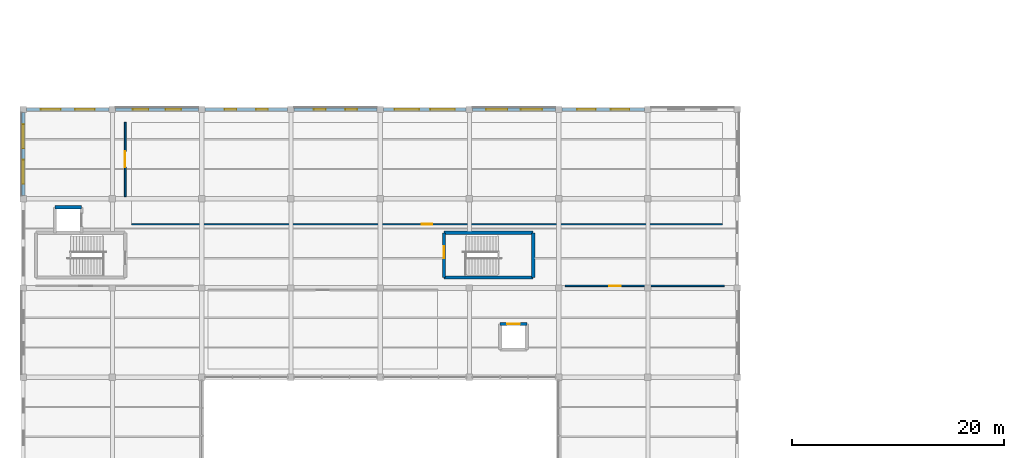
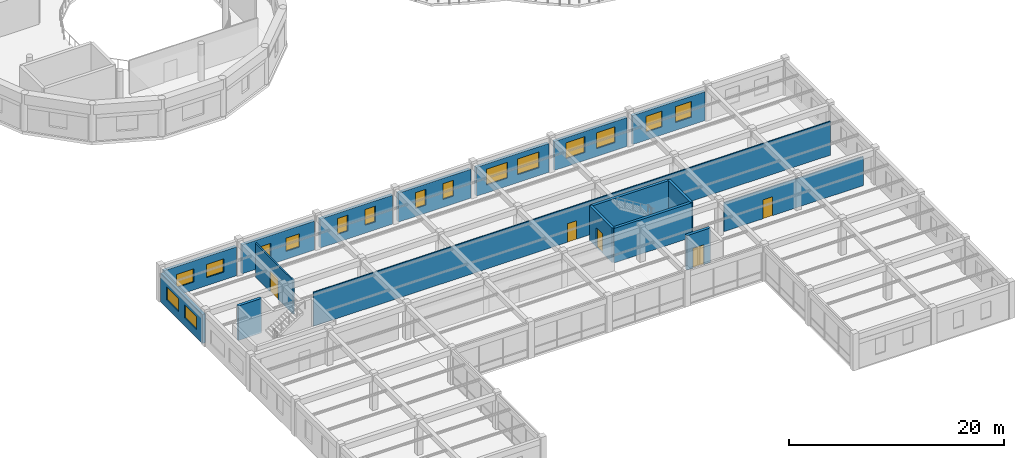
# One storey, part 89 of 114: 17 walls, 16 windows, 5 doors, 21 openings.
"""IFC4 building model written with IfcOpenShell, lengths in metres."""

from ifc_helpers import new_model, si_unit, direction, frame, frame_2d, origin, place, context, subcontext, project, spatial, rectangle, extrude, material, layer, layer_set, type_object, element, fill, save


model = new_model("IFC4")

# Units and contexts
model_context = context("Model", 3, precision=1e-05, world=origin(), true_north=direction((0.0, 1.0)))
body_context = subcontext(model_context, "Body", "Model", "MODEL_VIEW")
ifc_project = project(units=[si_unit("LENGTHUNIT", "METRE"), si_unit("AREAUNIT", "SQUARE_METRE"), si_unit("VOLUMEUNIT", "CUBIC_METRE"), si_unit("PLANEANGLEUNIT", "RADIAN"), si_unit("MASSUNIT", "GRAM", prefix="KILO"), si_unit("THERMODYNAMICTEMPERATUREUNIT", "KELVIN"), si_unit("POWERUNIT", "WATT")], contexts=[model_context])

# Site, building, storey
site_placement = place(None, origin())
site = spatial("IfcSite", under=ifc_project, at=site_placement, CompositionType="ELEMENT")
building_placement = place(site_placement, origin())
building = spatial("IfcBuilding", under=site, at=building_placement, Name="Darbajah Civic Hall", CompositionType="ELEMENT")
storey_placement = place(building_placement, frame((0.0, 0.0, 13.800048828125)))
storey = spatial("IfcBuildingStorey", under=building, at=storey_placement, Name="L03", CompositionType="ELEMENT", Elevation=13.800048828125)

# Walls
ifc_material_1 = material(Name="Concrete C45/55", Category="concrete")
ifc_layer_1 = layer(ifc_material_1, 0.300048828125, Name="Concrete C45/55")
ifc_layer_set_1 = layer_set([ifc_layer_1], Name="Concrete C45/55")
wall_type_1 = type_object("IfcWallType", Name="Core Shear Wall 300mm", PredefinedType="SHEAR", material=ifc_layer_set_1)
wall_1_placement = place(storey_placement, frame((5.5, 32.800048828125, 0.0), z_axis=(0.0, 0.0, 1.0), x_axis=(-1.0, 0.0, 0.0)))
element("IfcWall", 1, at=wall_1_placement, inside=storey, type_object=wall_type_1, Name="L03 lift PL5 shaft wall N", PredefinedType="SHEAR", context=body_context, shape_type="SweptSolid", body=[
    extrude(rectangle(XDim=2.5, YDim=0.300048828125, at=frame_2d((1.25, 0.0))), origin(), (0.0, 0.0, 1.0), 3.919921875),
])
wall_2_placement = place(storey_placement, frame((39.60009765625, 26.199951171875, 0.0), z_axis=(0.0, 0.0, 1.0), x_axis=(1.0, 0.0, 0.0)))
element("IfcWall", 2, at=wall_2_placement, inside=storey, type_object=wall_type_1, Name="L03 core C11 shear wall S", PredefinedType="SHEAR", context=body_context, shape_type="SweptSolid", body=[
    extrude(rectangle(XDim=8.39990234375, YDim=0.300048828125, at=frame_2d((4.199951171875, 0.0))), origin(), (0.0, 0.0, 1.0), 3.919921875),
])
wall_3_placement = place(storey_placement, frame((48.0, 26.199951171875, 0.0), z_axis=(0.0, 0.0, 1.0), x_axis=(0.0, 1.0, 0.0)))
element("IfcWall", 3, at=wall_3_placement, inside=storey, type_object=wall_type_1, Name="L03 core C11 shear wall E", PredefinedType="SHEAR", context=body_context, shape_type="SweptSolid", body=[
    extrude(rectangle(XDim=4.199951171875, YDim=0.300048828125, at=frame_2d((2.10009765625, 0.0))), origin(), (0.0, 0.0, 1.0), 3.919921875),
])
wall_4_placement = place(storey_placement, frame((48.0, 30.39990234375, 0.0), z_axis=(0.0, 0.0, 1.0), x_axis=(-1.0, 0.0, 0.0)))
element("IfcWall", 4, at=wall_4_placement, inside=storey, type_object=wall_type_1, Name="L03 core C11 shear wall N", PredefinedType="SHEAR", context=body_context, shape_type="SweptSolid", body=[
    extrude(rectangle(XDim=8.39990234375, YDim=0.300048828125, at=frame_2d((4.199951171875, 0.0))), origin(), (0.0, 0.0, 1.0), 3.919921875),
])

# Wall, opening, door
wall_5_placement = place(storey_placement, frame((39.60009765625, 30.39990234375, 0.0), z_axis=(0.0, 0.0, 1.0), x_axis=(0.0, -1.0, 0.0)))
wall_5 = element("IfcWall", 5, at=wall_5_placement, inside=storey, type_object=wall_type_1, Name="L03 core C11 shear wall W", PredefinedType="SHEAR", context=body_context, shape_type="SweptSolid", body=[
    extrude(rectangle(XDim=4.199951171875, YDim=0.300048828125, at=frame_2d((2.10009765625, 0.0))), origin(), (0.0, 0.0, 1.0), 3.919921875),
])
opening_1_placement = place(wall_5_placement, frame((1.25, 0.0, 0.0)))
opening_1 = element("IfcOpeningElement", 6, at=opening_1_placement, cuts=wall_5, Name="Opening SD-0124", PredefinedType="OPENING", context=body_context, shape_type="SweptSolid", body=[
    extrude(rectangle(XDim=1.14990234375, YDim=2.199951171875, at=frame_2d((0.574951171875, 1.10009765625))), frame((0.0, 0.159912109375, 0.0), z_axis=(0.0, -1.0, 0.0), x_axis=(1.0, 0.0, 0.0)), (0.0, 0.0, 1.0), 0.320068359375),
])
ifc_material_2 = material(Name="Steel Rated Core Door", Category="steel")
door_type_1 = type_object("IfcDoorType", Name="Interior Door 1150x2200", OperationType="NOTDEFINED", PredefinedType="DOOR", material=ifc_material_2)
door_1_placement = place(opening_1_placement, origin())
door_1 = element("IfcDoor", 7, at=door_1_placement, inside=storey, type_object=door_type_1, Name="L03 stair ST11 fire door SD-0124", OperationType="SINGLE_SWING_LEFT", OverallHeight=2.199951171875, OverallWidth=1.14990234375, PredefinedType="DOOR", context=body_context, shape_type="SweptSolid", body=[
    extrude(rectangle(XDim=1.14990234375, YDim=2.199951171875, at=frame_2d((0.574951171875, 1.10009765625))), frame((0.0, 0.02490234375, 0.0), z_axis=(0.0, -1.0, 0.0), x_axis=(1.0, 0.0, 0.0)), (0.0, 0.0, 1.0), 0.050048828125),
])
fill(opening_1, door_1)

wall_6_placement = place(storey_placement, frame((47.39990234375, 21.800048828125, 0.0), z_axis=(0.0, 0.0, 1.0), x_axis=(-1.0, 0.0, 0.0)))
wall_6 = element("IfcWall", 8, at=wall_6_placement, inside=storey, type_object=wall_type_1, Name="L03 lift PL6 shaft wall N", PredefinedType="SHEAR", context=body_context, shape_type="SweptSolid", body=[
    extrude(rectangle(XDim=2.5, YDim=0.300048828125, at=frame_2d((1.25, 0.0))), origin(), (0.0, 0.0, 1.0), 3.919921875),
])
opening_2_placement = place(wall_6_placement, frame((0.64990234375, 0.0, 0.0)))
opening_2 = element("IfcOpeningElement", 9, at=opening_2_placement, cuts=wall_6, Name="Opening LD-0130", PredefinedType="OPENING", context=body_context, shape_type="SweptSolid", body=[
    extrude(rectangle(XDim=1.199951171875, YDim=2.25, at=frame_2d((0.60009765625, 1.125))), frame((0.0, 0.159912109375, 0.0), z_axis=(0.0, -1.0, 0.0), x_axis=(1.0, 0.0, 0.0)), (0.0, 0.0, 1.0), 0.320068359375),
])
ifc_material_3 = material(Name="Stainless Lift Landing Door")
door_type_2 = type_object("IfcDoorType", Name="Lift Landing Door 1200x2250", OperationType="SLIDING_TO_LEFT", PredefinedType="DOOR", material=ifc_material_3)
door_2_placement = place(opening_2_placement, origin())
door_2 = element("IfcDoor", 10, at=door_2_placement, inside=storey, type_object=door_type_2, Name="L03 lift PL6 landing door LD-0130", OperationType="SLIDING_TO_LEFT", OverallHeight=2.25, OverallWidth=1.199951171875, PredefinedType="DOOR", context=body_context, shape_type="SweptSolid", body=[
    extrude(rectangle(XDim=1.199951171875, YDim=2.25, at=frame_2d((0.60009765625, 1.125))), frame((0.0, 0.02490234375, 0.0), z_axis=(0.0, -1.0, 0.0), x_axis=(1.0, 0.0, 0.0)), (0.0, 0.0, 1.0), 0.050048828125),
])
fill(opening_2, door_2)

# Wall, openings, windows
ifc_material_4 = material(Name="Red Dholpur Sandstone Cladding", Category="masonry")
ifc_layer_2 = layer(ifc_material_4, 0.31005859375, Name="Red Dholpur Sandstone Cladding")
ifc_layer_set_2 = layer_set([ifc_layer_2], Name="Red Dholpur Sandstone Cladding")
wall_type_2 = type_object("IfcWallType", Name="Exterior Wall 310mm", PredefinedType="SOLIDWALL", material=ifc_layer_set_2)
wall_7_placement = place(storey_placement, frame((58.498046875, 42.0, 0.0), z_axis=(0.0, 0.0, 1.0), x_axis=(-1.0, 0.0, 0.0)))
wall_7 = element("IfcWall", 11, at=wall_7_placement, inside=storey, type_object=wall_type_2, Name="L03 exterior wall EW-310", PredefinedType="SOLIDWALL", context=body_context, shape_type="SweptSolid", body=[
    extrude(rectangle(XDim=7.796142578125, YDim=0.31005859375, at=frame_2d((3.89794921875, 0.0))), origin(), (0.0, 0.0, 1.0), 3.2900390625),
])
opening_3_placement = place(wall_7_placement, frame((1.431884765625, 0.0, 0.89990234375)))
opening_3 = element("IfcOpeningElement", 12, at=opening_3_placement, cuts=wall_7, Name="Opening WN-20", PredefinedType="OPENING", context=body_context, shape_type="SweptSolid", body=[
    extrude(rectangle(XDim=1.75, YDim=1.800048828125, at=frame_2d((0.875, 0.89990234375))), frame((0.0, 0.1650390625, 0.0), z_axis=(0.0, -1.0, 0.0), x_axis=(1.0, 0.0, 0.0)), (0.0, 0.0, 1.0), 0.330078125),
])
opening_4_placement = place(wall_7_placement, frame((4.614013671875, 0.0, 0.89990234375)))
opening_4 = element("IfcOpeningElement", 13, at=opening_4_placement, cuts=wall_7, Name="Opening WN-20", PredefinedType="OPENING", context=body_context, shape_type="SweptSolid", body=[
    extrude(rectangle(XDim=1.75, YDim=1.800048828125, at=frame_2d((0.875, 0.89990234375))), frame((0.0, 0.1650390625, 0.0), z_axis=(0.0, -1.0, 0.0), x_axis=(1.0, 0.0, 0.0)), (0.0, 0.0, 1.0), 0.330078125),
])
ifc_material_5 = material(Name="Low-E Solar Control Double Glazing", Category="glass")
window_type_1 = type_object("IfcWindowType", Name="Facade Window 1750x1800", PartitioningType="DOUBLE_PANEL_VERTICAL", PredefinedType="WINDOW", material=ifc_material_5)
window_1_placement = place(opening_3_placement, origin())
window_1 = element("IfcWindow", 14, at=window_1_placement, inside=storey, type_object=window_type_1, Name="L03 facade window WN-20", OverallHeight=1.800048828125, OverallWidth=1.75, PartitioningType="SINGLE_PANEL", PredefinedType="WINDOW", context=body_context, shape_type="SweptSolid", body=[
    extrude(rectangle(XDim=1.75, YDim=1.800048828125, at=frame_2d((0.875, 0.89990234375))), frame((0.0, 0.030029296875, 0.0), z_axis=(0.0, -1.0, 0.0), x_axis=(1.0, 0.0, 0.0)), (0.0, 0.0, 1.0), 0.06005859375),
])
fill(opening_3, window_1)
window_2_placement = place(opening_4_placement, origin())
window_2 = element("IfcWindow", 15, at=window_2_placement, inside=storey, type_object=window_type_1, Name="L03 facade window WN-20", OverallHeight=1.800048828125, OverallWidth=1.75, PartitioningType="SINGLE_PANEL", PredefinedType="WINDOW", context=body_context, shape_type="SweptSolid", body=[
    extrude(rectangle(XDim=1.75, YDim=1.800048828125, at=frame_2d((0.875, 0.89990234375))), frame((0.0, 0.030029296875, 0.0), z_axis=(0.0, -1.0, 0.0), x_axis=(1.0, 0.0, 0.0)), (0.0, 0.0, 1.0), 0.06005859375),
])
fill(opening_4, window_2)

wall_8_placement = place(storey_placement, frame((50.097900390625, 42.0, 0.0), z_axis=(0.0, 0.0, 1.0), x_axis=(-1.0, 0.0, 0.0)))
wall_8 = element("IfcWall", 16, at=wall_8_placement, inside=storey, type_object=wall_type_2, Name="L03 exterior wall EW-310", PredefinedType="SOLIDWALL", context=body_context, shape_type="SweptSolid", body=[
    extrude(rectangle(XDim=7.7958984375, YDim=0.31005859375, at=frame_2d((3.89794921875, 0.0))), origin(), (0.0, 0.0, 1.0), 3.2900390625),
])
opening_5_placement = place(wall_8_placement, frame((1.265380859375, 0.0, 0.89990234375)))
opening_5 = element("IfcOpeningElement", 17, at=opening_5_placement, cuts=wall_8, Name="Opening WN-21", PredefinedType="OPENING", context=body_context, shape_type="SweptSolid", body=[
    extrude(rectangle(XDim=2.0, YDim=1.800048828125, at=frame_2d((1.0, 0.89990234375))), frame((0.0, 0.1650390625, 0.0), z_axis=(0.0, -1.0, 0.0), x_axis=(1.0, 0.0, 0.0)), (0.0, 0.0, 1.0), 0.330078125),
])
opening_6_placement = place(wall_8_placement, frame((4.53076171875, 0.0, 0.89990234375)))
opening_6 = element("IfcOpeningElement", 18, at=opening_6_placement, cuts=wall_8, Name="Opening WN-21", PredefinedType="OPENING", context=body_context, shape_type="SweptSolid", body=[
    extrude(rectangle(XDim=2.0, YDim=1.800048828125, at=frame_2d((1.0, 0.89990234375))), frame((0.0, 0.1650390625, 0.0), z_axis=(0.0, -1.0, 0.0), x_axis=(1.0, 0.0, 0.0)), (0.0, 0.0, 1.0), 0.330078125),
])
window_type_2 = type_object("IfcWindowType", Name="Facade Window 2000x1800", PartitioningType="DOUBLE_PANEL_VERTICAL", PredefinedType="WINDOW", material=ifc_material_5)
window_3_placement = place(opening_5_placement, origin())
window_3 = element("IfcWindow", 19, at=window_3_placement, inside=storey, type_object=window_type_2, Name="L03 facade window WN-21", OverallHeight=1.800048828125, OverallWidth=2.0, PartitioningType="SINGLE_PANEL", PredefinedType="WINDOW", context=body_context, shape_type="SweptSolid", body=[
    extrude(rectangle(XDim=2.0, YDim=1.800048828125, at=frame_2d((1.0, 0.89990234375))), frame((0.0, 0.030029296875, 0.0), z_axis=(0.0, -1.0, 0.0), x_axis=(1.0, 0.0, 0.0)), (0.0, 0.0, 1.0), 0.06005859375),
])
fill(opening_5, window_3)
window_4_placement = place(opening_6_placement, origin())
window_4 = element("IfcWindow", 20, at=window_4_placement, inside=storey, type_object=window_type_2, Name="L03 facade window WN-21", OverallHeight=1.800048828125, OverallWidth=2.0, PartitioningType="SINGLE_PANEL", PredefinedType="WINDOW", context=body_context, shape_type="SweptSolid", body=[
    extrude(rectangle(XDim=2.0, YDim=1.800048828125, at=frame_2d((1.0, 0.89990234375))), frame((0.0, 0.030029296875, 0.0), z_axis=(0.0, -1.0, 0.0), x_axis=(1.0, 0.0, 0.0)), (0.0, 0.0, 1.0), 0.06005859375),
])
fill(opening_6, window_4)

wall_9_placement = place(storey_placement, frame((41.697998046875, 42.0, 0.0), z_axis=(0.0, 0.0, 1.0), x_axis=(-1.0, 0.0, 0.0)))
wall_9 = element("IfcWall", 21, at=wall_9_placement, inside=storey, type_object=wall_type_2, Name="L03 exterior wall EW-310", PredefinedType="SOLIDWALL", context=body_context, shape_type="SweptSolid", body=[
    extrude(rectangle(XDim=7.7958984375, YDim=0.31005859375, at=frame_2d((3.89794921875, 0.0))), origin(), (0.0, 0.0, 1.0), 3.2900390625),
])
opening_7_placement = place(wall_9_placement, frame((1.065185546875, 0.0, 0.89990234375)))
opening_7 = element("IfcOpeningElement", 22, at=opening_7_placement, cuts=wall_9, Name="Opening WN-22", PredefinedType="OPENING", context=body_context, shape_type="SweptSolid", body=[
    extrude(rectangle(XDim=2.300048828125, YDim=1.800048828125, at=frame_2d((1.14990234375, 0.89990234375))), frame((0.0, 0.1650390625, 0.0), z_axis=(0.0, -1.0, 0.0), x_axis=(1.0, 0.0, 0.0)), (0.0, 0.0, 1.0), 0.330078125),
])
opening_8_placement = place(wall_9_placement, frame((4.4306640625, 0.0, 0.89990234375)))
opening_8 = element("IfcOpeningElement", 23, at=opening_8_placement, cuts=wall_9, Name="Opening WN-22", PredefinedType="OPENING", context=body_context, shape_type="SweptSolid", body=[
    extrude(rectangle(XDim=2.300048828125, YDim=1.800048828125, at=frame_2d((1.14990234375, 0.89990234375))), frame((0.0, 0.1650390625, 0.0), z_axis=(0.0, -1.0, 0.0), x_axis=(1.0, 0.0, 0.0)), (0.0, 0.0, 1.0), 0.330078125),
])
window_type_3 = type_object("IfcWindowType", Name="Facade Window 2300x1800", PartitioningType="DOUBLE_PANEL_VERTICAL", PredefinedType="WINDOW", material=ifc_material_5)
window_5_placement = place(opening_7_placement, origin())
window_5 = element("IfcWindow", 24, at=window_5_placement, inside=storey, type_object=window_type_3, Name="L03 facade window WN-22", OverallHeight=1.800048828125, OverallWidth=2.300048828125, PartitioningType="SINGLE_PANEL", PredefinedType="WINDOW", context=body_context, shape_type="SweptSolid", body=[
    extrude(rectangle(XDim=2.300048828125, YDim=1.800048828125, at=frame_2d((1.14990234375, 0.89990234375))), frame((0.0, 0.030029296875, 0.0), z_axis=(0.0, -1.0, 0.0), x_axis=(1.0, 0.0, 0.0)), (0.0, 0.0, 1.0), 0.06005859375),
])
fill(opening_7, window_5)
window_6_placement = place(opening_8_placement, origin())
window_6 = element("IfcWindow", 25, at=window_6_placement, inside=storey, type_object=window_type_3, Name="L03 facade window WN-22", OverallHeight=1.800048828125, OverallWidth=2.300048828125, PartitioningType="SINGLE_PANEL", PredefinedType="WINDOW", context=body_context, shape_type="SweptSolid", body=[
    extrude(rectangle(XDim=2.300048828125, YDim=1.800048828125, at=frame_2d((1.14990234375, 0.89990234375))), frame((0.0, 0.030029296875, 0.0), z_axis=(0.0, -1.0, 0.0), x_axis=(1.0, 0.0, 0.0)), (0.0, 0.0, 1.0), 0.06005859375),
])
fill(opening_8, window_6)

wall_10_placement = place(storey_placement, frame((33.298095703125, 42.0, 0.0), z_axis=(0.0, 0.0, 1.0), x_axis=(-1.0, 0.0, 0.0)))
wall_10 = element("IfcWall", 26, at=wall_10_placement, inside=storey, type_object=wall_type_2, Name="L03 exterior wall EW-310", PredefinedType="SOLIDWALL", context=body_context, shape_type="SweptSolid", body=[
    extrude(rectangle(XDim=7.796142578125, YDim=0.31005859375, at=frame_2d((3.89794921875, 0.0))), origin(), (0.0, 0.0, 1.0), 3.2900390625),
])
opening_9_placement = place(wall_10_placement, frame((1.865234375, 0.0, 0.89990234375)))
opening_9 = element("IfcOpeningElement", 27, at=opening_9_placement, cuts=wall_10, Name="Opening WN-17", PredefinedType="OPENING", context=body_context, shape_type="SweptSolid", body=[
    extrude(rectangle(XDim=1.10009765625, YDim=1.800048828125, at=frame_2d((0.550048828125, 0.89990234375))), frame((0.0, 0.1650390625, 0.0), z_axis=(0.0, -1.0, 0.0), x_axis=(1.0, 0.0, 0.0)), (0.0, 0.0, 1.0), 0.330078125),
])
opening_10_placement = place(wall_10_placement, frame((4.830810546875, 0.0, 0.89990234375)))
opening_10 = element("IfcOpeningElement", 28, at=opening_10_placement, cuts=wall_10, Name="Opening WN-17", PredefinedType="OPENING", context=body_context, shape_type="SweptSolid", body=[
    extrude(rectangle(XDim=1.10009765625, YDim=1.800048828125, at=frame_2d((0.550048828125, 0.89990234375))), frame((0.0, 0.1650390625, 0.0), z_axis=(0.0, -1.0, 0.0), x_axis=(1.0, 0.0, 0.0)), (0.0, 0.0, 1.0), 0.330078125),
])
window_type_4 = type_object("IfcWindowType", Name="Facade Window 1100x1800", PartitioningType="SINGLE_PANEL", PredefinedType="WINDOW", material=ifc_material_5)
window_7_placement = place(opening_9_placement, origin())
window_7 = element("IfcWindow", 29, at=window_7_placement, inside=storey, type_object=window_type_4, Name="L03 facade window WN-17", OverallHeight=1.800048828125, OverallWidth=1.10009765625, PartitioningType="SINGLE_PANEL", PredefinedType="WINDOW", context=body_context, shape_type="SweptSolid", body=[
    extrude(rectangle(XDim=1.10009765625, YDim=1.800048828125, at=frame_2d((0.550048828125, 0.89990234375))), frame((0.0, 0.030029296875, 0.0), z_axis=(0.0, -1.0, 0.0), x_axis=(1.0, 0.0, 0.0)), (0.0, 0.0, 1.0), 0.06005859375),
])
fill(opening_9, window_7)
window_8_placement = place(opening_10_placement, origin())
window_8 = element("IfcWindow", 30, at=window_8_placement, inside=storey, type_object=window_type_4, Name="L03 facade window WN-17", OverallHeight=1.800048828125, OverallWidth=1.10009765625, PartitioningType="SINGLE_PANEL", PredefinedType="WINDOW", context=body_context, shape_type="SweptSolid", body=[
    extrude(rectangle(XDim=1.10009765625, YDim=1.800048828125, at=frame_2d((0.550048828125, 0.89990234375))), frame((0.0, 0.030029296875, 0.0), z_axis=(0.0, -1.0, 0.0), x_axis=(1.0, 0.0, 0.0)), (0.0, 0.0, 1.0), 0.06005859375),
])
fill(opening_10, window_8)

wall_11_placement = place(storey_placement, frame((24.89794921875, 42.0, 0.0), z_axis=(0.0, 0.0, 1.0), x_axis=(-1.0, 0.0, 0.0)))
wall_11 = element("IfcWall", 31, at=wall_11_placement, inside=storey, type_object=wall_type_2, Name="L03 exterior wall EW-310", PredefinedType="SOLIDWALL", context=body_context, shape_type="SweptSolid", body=[
    extrude(rectangle(XDim=7.7958984375, YDim=0.31005859375, at=frame_2d((3.89794921875, 0.0))), origin(), (0.0, 0.0, 1.0), 3.2900390625),
])
opening_11_placement = place(wall_11_placement, frame((1.865234375, 0.0, 0.89990234375)))
opening_11 = element("IfcOpeningElement", 32, at=opening_11_placement, cuts=wall_11, Name="Opening WN-17", PredefinedType="OPENING", context=body_context, shape_type="SweptSolid", body=[
    extrude(rectangle(XDim=1.10009765625, YDim=1.800048828125, at=frame_2d((0.550048828125, 0.89990234375))), frame((0.0, 0.1650390625, 0.0), z_axis=(0.0, -1.0, 0.0), x_axis=(1.0, 0.0, 0.0)), (0.0, 0.0, 1.0), 0.330078125),
])
opening_12_placement = place(wall_11_placement, frame((4.830810546875, 0.0, 0.89990234375)))
opening_12 = element("IfcOpeningElement", 33, at=opening_12_placement, cuts=wall_11, Name="Opening WN-17", PredefinedType="OPENING", context=body_context, shape_type="SweptSolid", body=[
    extrude(rectangle(XDim=1.10009765625, YDim=1.800048828125, at=frame_2d((0.550048828125, 0.89990234375))), frame((0.0, 0.1650390625, 0.0), z_axis=(0.0, -1.0, 0.0), x_axis=(1.0, 0.0, 0.0)), (0.0, 0.0, 1.0), 0.330078125),
])
window_9_placement = place(opening_11_placement, origin())
window_9 = element("IfcWindow", 34, at=window_9_placement, inside=storey, type_object=window_type_4, Name="L03 facade window WN-17", OverallHeight=1.800048828125, OverallWidth=1.10009765625, PartitioningType="SINGLE_PANEL", PredefinedType="WINDOW", context=body_context, shape_type="SweptSolid", body=[
    extrude(rectangle(XDim=1.10009765625, YDim=1.800048828125, at=frame_2d((0.550048828125, 0.89990234375))), frame((0.0, 0.030029296875, 0.0), z_axis=(0.0, -1.0, 0.0), x_axis=(1.0, 0.0, 0.0)), (0.0, 0.0, 1.0), 0.06005859375),
])
fill(opening_11, window_9)
window_10_placement = place(opening_12_placement, origin())
window_10 = element("IfcWindow", 35, at=window_10_placement, inside=storey, type_object=window_type_4, Name="L03 facade window WN-17", OverallHeight=1.800048828125, OverallWidth=1.10009765625, PartitioningType="SINGLE_PANEL", PredefinedType="WINDOW", context=body_context, shape_type="SweptSolid", body=[
    extrude(rectangle(XDim=1.10009765625, YDim=1.800048828125, at=frame_2d((0.550048828125, 0.89990234375))), frame((0.0, 0.030029296875, 0.0), z_axis=(0.0, -1.0, 0.0), x_axis=(1.0, 0.0, 0.0)), (0.0, 0.0, 1.0), 0.06005859375),
])
fill(opening_12, window_10)

wall_12_placement = place(storey_placement, frame((16.498046875, 42.0, 0.0), z_axis=(0.0, 0.0, 1.0), x_axis=(-1.0, 0.0, 0.0)))
wall_12 = element("IfcWall", 36, at=wall_12_placement, inside=storey, type_object=wall_type_2, Name="L03 exterior wall EW-310", PredefinedType="SOLIDWALL", context=body_context, shape_type="SweptSolid", body=[
    extrude(rectangle(XDim=7.796142578125, YDim=0.31005859375, at=frame_2d((3.89794921875, 0.0))), origin(), (0.0, 0.0, 1.0), 3.2900390625),
])
opening_13_placement = place(wall_12_placement, frame((1.632080078125, 0.0, 0.89990234375)))
opening_13 = element("IfcOpeningElement", 37, at=opening_13_placement, cuts=wall_12, Name="Opening WN-25", PredefinedType="OPENING", context=body_context, shape_type="SweptSolid", body=[
    extrude(rectangle(XDim=1.449951171875, YDim=1.5, at=frame_2d((0.72509765625, 0.75))), frame((0.0, 0.1650390625, 0.0), z_axis=(0.0, -1.0, 0.0), x_axis=(1.0, 0.0, 0.0)), (0.0, 0.0, 1.0), 0.330078125),
])
opening_14_placement = place(wall_12_placement, frame((4.714111328125, 0.0, 0.89990234375)))
opening_14 = element("IfcOpeningElement", 38, at=opening_14_placement, cuts=wall_12, Name="Opening WN-25", PredefinedType="OPENING", context=body_context, shape_type="SweptSolid", body=[
    extrude(rectangle(XDim=1.449951171875, YDim=1.5, at=frame_2d((0.72509765625, 0.75))), frame((0.0, 0.1650390625, 0.0), z_axis=(0.0, -1.0, 0.0), x_axis=(1.0, 0.0, 0.0)), (0.0, 0.0, 1.0), 0.330078125),
])
window_type_5 = type_object("IfcWindowType", Name="Facade Window 1450x1500", PartitioningType="SINGLE_PANEL", PredefinedType="WINDOW", material=ifc_material_5)
window_11_placement = place(opening_13_placement, origin())
window_11 = element("IfcWindow", 39, at=window_11_placement, inside=storey, type_object=window_type_5, Name="L03 facade window WN-25", OverallHeight=1.5, OverallWidth=1.449951171875, PartitioningType="SINGLE_PANEL", PredefinedType="WINDOW", context=body_context, shape_type="SweptSolid", body=[
    extrude(rectangle(XDim=1.449951171875, YDim=1.5, at=frame_2d((0.72509765625, 0.75))), frame((0.0, 0.030029296875, 0.0), z_axis=(0.0, -1.0, 0.0), x_axis=(1.0, 0.0, 0.0)), (0.0, 0.0, 1.0), 0.06005859375),
])
fill(opening_13, window_11)
window_12_placement = place(opening_14_placement, origin())
window_12 = element("IfcWindow", 40, at=window_12_placement, inside=storey, type_object=window_type_5, Name="L03 facade window WN-25", OverallHeight=1.5, OverallWidth=1.449951171875, PartitioningType="SINGLE_PANEL", PredefinedType="WINDOW", context=body_context, shape_type="SweptSolid", body=[
    extrude(rectangle(XDim=1.449951171875, YDim=1.5, at=frame_2d((0.72509765625, 0.75))), frame((0.0, 0.030029296875, 0.0), z_axis=(0.0, -1.0, 0.0), x_axis=(1.0, 0.0, 0.0)), (0.0, 0.0, 1.0), 0.06005859375),
])
fill(opening_14, window_12)

wall_13_placement = place(storey_placement, frame((8.097900390625, 42.0, 0.0), z_axis=(0.0, 0.0, 1.0), x_axis=(-1.0, 0.0, 0.0)))
wall_13 = element("IfcWall", 41, at=wall_13_placement, inside=storey, type_object=wall_type_2, Name="L03 exterior wall EW-310", PredefinedType="SOLIDWALL", context=body_context, shape_type="SweptSolid", body=[
    extrude(rectangle(XDim=7.7958984375, YDim=0.31005859375, at=frame_2d((3.89794921875, 0.0))), origin(), (0.0, 0.0, 1.0), 3.2900390625),
])
opening_15_placement = place(wall_13_placement, frame((1.365234375, 0.0, 0.89990234375)))
opening_15 = element("IfcOpeningElement", 42, at=opening_15_placement, cuts=wall_13, Name="Opening WN-26", PredefinedType="OPENING", context=body_context, shape_type="SweptSolid", body=[
    extrude(rectangle(XDim=1.85009765625, YDim=1.5, at=frame_2d((0.925048828125, 0.75))), frame((0.0, 0.1650390625, 0.0), z_axis=(0.0, -1.0, 0.0), x_axis=(1.0, 0.0, 0.0)), (0.0, 0.0, 1.0), 0.330078125),
])
opening_16_placement = place(wall_13_placement, frame((4.580810546875, 0.0, 0.89990234375)))
opening_16 = element("IfcOpeningElement", 43, at=opening_16_placement, cuts=wall_13, Name="Opening WN-26", PredefinedType="OPENING", context=body_context, shape_type="SweptSolid", body=[
    extrude(rectangle(XDim=1.85009765625, YDim=1.5, at=frame_2d((0.925048828125, 0.75))), frame((0.0, 0.1650390625, 0.0), z_axis=(0.0, -1.0, 0.0), x_axis=(1.0, 0.0, 0.0)), (0.0, 0.0, 1.0), 0.330078125),
])
window_type_6 = type_object("IfcWindowType", Name="Facade Window 1850x1500", PartitioningType="DOUBLE_PANEL_VERTICAL", PredefinedType="WINDOW", material=ifc_material_5)
window_13_placement = place(opening_15_placement, origin())
window_13 = element("IfcWindow", 44, at=window_13_placement, inside=storey, type_object=window_type_6, Name="L03 facade window WN-26", OverallHeight=1.5, OverallWidth=1.85009765625, PartitioningType="SINGLE_PANEL", PredefinedType="WINDOW", context=body_context, shape_type="SweptSolid", body=[
    extrude(rectangle(XDim=1.85009765625, YDim=1.5, at=frame_2d((0.925048828125, 0.75))), frame((0.0, 0.030029296875, 0.0), z_axis=(0.0, -1.0, 0.0), x_axis=(1.0, 0.0, 0.0)), (0.0, 0.0, 1.0), 0.06005859375),
])
fill(opening_15, window_13)
window_14_placement = place(opening_16_placement, origin())
window_14 = element("IfcWindow", 45, at=window_14_placement, inside=storey, type_object=window_type_6, Name="L03 facade window WN-26", OverallHeight=1.5, OverallWidth=1.85009765625, PartitioningType="SINGLE_PANEL", PredefinedType="WINDOW", context=body_context, shape_type="SweptSolid", body=[
    extrude(rectangle(XDim=1.85009765625, YDim=1.5, at=frame_2d((0.925048828125, 0.75))), frame((0.0, 0.030029296875, 0.0), z_axis=(0.0, -1.0, 0.0), x_axis=(1.0, 0.0, 0.0)), (0.0, 0.0, 1.0), 0.06005859375),
])
fill(opening_16, window_14)

wall_14_placement = place(storey_placement, frame((0.0, 41.697998046875, 0.0), z_axis=(0.0, 0.0, 1.0), x_axis=(0.0, -1.0, 0.0)))
wall_14 = element("IfcWall", 46, at=wall_14_placement, inside=storey, type_object=wall_type_2, Name="L03 exterior wall EW-310", PredefinedType="SOLIDWALL", context=body_context, shape_type="SweptSolid", body=[
    extrude(rectangle(XDim=7.7958984375, YDim=0.31005859375, at=frame_2d((3.89794921875, 0.0))), origin(), (0.0, 0.0, 1.0), 3.2900390625),
])
opening_17_placement = place(wall_14_placement, frame((1.0986328125, 0.0, 0.89990234375)))
opening_17 = element("IfcOpeningElement", 47, at=opening_17_placement, cuts=wall_14, Name="Opening WN-27", PredefinedType="OPENING", context=body_context, shape_type="SweptSolid", body=[
    extrude(rectangle(XDim=2.25, YDim=1.5, at=frame_2d((1.125, 0.75))), frame((0.0, 0.1650390625, 0.0), z_axis=(0.0, -1.0, 0.0), x_axis=(1.0, 0.0, 0.0)), (0.0, 0.0, 1.0), 0.330078125),
])
opening_18_placement = place(wall_14_placement, frame((4.447265625, 0.0, 0.89990234375)))
opening_18 = element("IfcOpeningElement", 48, at=opening_18_placement, cuts=wall_14, Name="Opening WN-27", PredefinedType="OPENING", context=body_context, shape_type="SweptSolid", body=[
    extrude(rectangle(XDim=2.25, YDim=1.5, at=frame_2d((1.125, 0.75))), frame((0.0, 0.1650390625, 0.0), z_axis=(0.0, -1.0, 0.0), x_axis=(1.0, 0.0, 0.0)), (0.0, 0.0, 1.0), 0.330078125),
])
window_type_7 = type_object("IfcWindowType", Name="Facade Window 2250x1500", PartitioningType="DOUBLE_PANEL_VERTICAL", PredefinedType="WINDOW", material=ifc_material_5)
window_15_placement = place(opening_17_placement, origin())
window_15 = element("IfcWindow", 49, at=window_15_placement, inside=storey, type_object=window_type_7, Name="L03 facade window WN-27", OverallHeight=1.5, OverallWidth=2.25, PartitioningType="SINGLE_PANEL", PredefinedType="WINDOW", context=body_context, shape_type="SweptSolid", body=[
    extrude(rectangle(XDim=2.25, YDim=1.5, at=frame_2d((1.125, 0.75))), frame((0.0, 0.030029296875, 0.0), z_axis=(0.0, -1.0, 0.0), x_axis=(1.0, 0.0, 0.0)), (0.0, 0.0, 1.0), 0.06005859375),
])
fill(opening_17, window_15)
window_16_placement = place(opening_18_placement, origin())
window_16 = element("IfcWindow", 50, at=window_16_placement, inside=storey, type_object=window_type_7, Name="L03 facade window WN-27", OverallHeight=1.5, OverallWidth=2.25, PartitioningType="SINGLE_PANEL", PredefinedType="WINDOW", context=body_context, shape_type="SweptSolid", body=[
    extrude(rectangle(XDim=2.25, YDim=1.5, at=frame_2d((1.125, 0.75))), frame((0.0, 0.030029296875, 0.0), z_axis=(0.0, -1.0, 0.0), x_axis=(1.0, 0.0, 0.0)), (0.0, 0.0, 1.0), 0.06005859375),
])
fill(opening_18, window_16)

# Wall, opening, door
ifc_material_6 = material(Name="Acoustic Gypsum Partition")
ifc_layer_3 = layer(ifc_material_6, 0.114990234375, Name="Acoustic Gypsum Partition")
ifc_layer_set_3 = layer_set([ifc_layer_3], Name="Acoustic Gypsum Partition")
wall_type_3 = type_object("IfcWallType", Name="Interior Partition 115mm", PredefinedType="PARTITIONING", material=ifc_layer_set_3)
wall_15_placement = place(storey_placement, frame((10.199951171875, 31.199951171875, 0.0), z_axis=(0.0, 0.0, 1.0), x_axis=(1.0, 0.0, 0.0)))
wall_15 = element("IfcWall", 51, at=wall_15_placement, inside=storey, type_object=wall_type_3, Name="L03 interior partition L03-V5-04", PredefinedType="PARTITIONING", context=body_context, shape_type="SweptSolid", body=[
    extrude(rectangle(XDim=55.60009765625, YDim=0.114990234375, at=frame_2d((27.800048828125, 0.0))), origin(), (0.0, 0.0, 1.0), 3.85986328125),
])
opening_19_placement = place(wall_15_placement, frame((27.300048828125, 0.0, 0.0)))
opening_19 = element("IfcOpeningElement", 52, at=opening_19_placement, cuts=wall_15, Name="Opening D-0241", PredefinedType="OPENING", context=body_context, shape_type="SweptSolid", body=[
    extrude(rectangle(XDim=1.0, YDim=2.10009765625, at=frame_2d((0.5, 1.050048828125))), frame((0.0, 0.0673828125, 0.0), z_axis=(0.0, -1.0, 0.0), x_axis=(1.0, 0.0, 0.0)), (0.0, 0.0, 1.0), 0.135009765625),
])
ifc_material_7 = material(Name="Oak Suite Door")
door_type_3 = type_object("IfcDoorType", Name="Interior Door 1000x2100", OperationType="NOTDEFINED", PredefinedType="DOOR", material=ifc_material_7)
door_3_placement = place(opening_19_placement, origin())
door_3 = element("IfcDoor", 53, at=door_3_placement, inside=storey, type_object=door_type_3, Name="L03 L03-V5-04 door D-0241", OperationType="SINGLE_SWING_RIGHT", OverallHeight=2.10009765625, OverallWidth=1.0, PredefinedType="DOOR", context=body_context, shape_type="SweptSolid", body=[
    extrude(rectangle(XDim=1.0, YDim=2.10009765625, at=frame_2d((0.5, 1.050048828125))), frame((0.0, 0.02490234375, 0.0), z_axis=(0.0, -1.0, 0.0), x_axis=(1.0, 0.0, 0.0)), (0.0, 0.0, 1.0), 0.050048828125),
])
fill(opening_19, door_3)

ifc_material_8 = material(Name="Gypsum Plasterboard on Steel Stud", Category="steel")
ifc_layer_4 = layer(ifc_material_8, 0.135009765625, Name="Gypsum Plasterboard on Steel Stud")
ifc_layer_set_4 = layer_set([ifc_layer_4], Name="Gypsum Plasterboard on Steel Stud")
wall_type_4 = type_object("IfcWallType", Name="Interior Partition 135mm", PredefinedType="PARTITIONING", material=ifc_layer_set_4)
wall_16_placement = place(storey_placement, frame((51.0, 25.39990234375, 0.0), z_axis=(0.0, 0.0, 1.0), x_axis=(1.0, 0.0, 0.0)))
wall_16 = element("IfcWall", 54, at=wall_16_placement, inside=storey, type_object=wall_type_4, Name="L03 interior partition L03-V5-03", PredefinedType="PARTITIONING", context=body_context, shape_type="SweptSolid", body=[
    extrude(rectangle(XDim=15.0, YDim=0.135009765625, at=frame_2d((7.5, 0.0))), origin(), (0.0, 0.0, 1.0), 3.2900390625),
])
opening_20_placement = place(wall_16_placement, frame((4.18505859375, 0.0, 0.0)))
opening_20 = element("IfcOpeningElement", 55, at=opening_20_placement, cuts=wall_16, Name="Opening D-0240", PredefinedType="OPENING", context=body_context, shape_type="SweptSolid", body=[
    extrude(rectangle(XDim=1.050048828125, YDim=2.14990234375, at=frame_2d((0.52490234375, 1.074951171875))), frame((0.0, 0.077392578125, 0.0), z_axis=(0.0, -1.0, 0.0), x_axis=(1.0, 0.0, 0.0)), (0.0, 0.0, 1.0), 0.155029296875),
])
ifc_material_9 = material(Name="Acoustic Oak Office Door")
door_type_4 = type_object("IfcDoorType", Name="Interior Door 1050x2150", OperationType="NOTDEFINED", PredefinedType="DOOR", material=ifc_material_9)
door_4_placement = place(opening_20_placement, origin())
door_4 = element("IfcDoor", 56, at=door_4_placement, inside=storey, type_object=door_type_4, Name="L03 L03-V5-03 door D-0240", OperationType="SINGLE_SWING_LEFT", OverallHeight=2.14990234375, OverallWidth=1.050048828125, PredefinedType="DOOR", context=body_context, shape_type="SweptSolid", body=[
    extrude(rectangle(XDim=1.050048828125, YDim=2.14990234375, at=frame_2d((0.52490234375, 1.074951171875))), frame((0.0, 0.02490234375, 0.0), z_axis=(0.0, -1.0, 0.0), x_axis=(1.0, 0.0, 0.0)), (0.0, 0.0, 1.0), 0.050048828125),
])
fill(opening_20, door_4)

ifc_layer_5 = layer(ifc_material_8, 0.159912109375, Name="Gypsum Plasterboard on Steel Stud")
ifc_layer_set_5 = layer_set([ifc_layer_5], Name="Gypsum Plasterboard on Steel Stud")
wall_type_5 = type_object("IfcWallType", Name="Interior Partition 160mm", PredefinedType="PARTITIONING", material=ifc_layer_set_5)
wall_17_placement = place(storey_placement, frame((9.60009765625, 33.800048828125, 0.0), z_axis=(0.0, 0.0, 1.0), x_axis=(0.0, 1.0, 0.0)))
wall_17 = element("IfcWall", 57, at=wall_17_placement, inside=storey, type_object=wall_type_5, Name="L03 interior partition L03-V5-05", PredefinedType="PARTITIONING", context=body_context, shape_type="SweptSolid", body=[
    extrude(rectangle(XDim=7.0, YDim=0.159912109375, at=frame_2d((3.5, 0.0))), origin(), (0.0, 0.0, 1.0), 3.85986328125),
])
opening_21_placement = place(wall_17_placement, frame((2.75, 0.0, 0.0)))
opening_21 = element("IfcOpeningElement", 58, at=opening_21_placement, cuts=wall_17, Name="Opening D-0242", PredefinedType="OPENING", context=body_context, shape_type="SweptSolid", body=[
    extrude(rectangle(XDim=1.5, YDim=2.35009765625, at=frame_2d((0.75, 1.175048828125))), frame((0.0, 0.08984375, 0.0), z_axis=(0.0, -1.0, 0.0), x_axis=(1.0, 0.0, 0.0)), (0.0, 0.0, 1.0), 0.179931640625),
])
ifc_material_10 = material(Name="Committee Chamber Double Door")
door_type_5 = type_object("IfcDoorType", Name="Interior Door 1500x2350", OperationType="NOTDEFINED", PredefinedType="DOOR", material=ifc_material_10)
door_5_placement = place(opening_21_placement, origin())
door_5 = element("IfcDoor", 59, at=door_5_placement, inside=storey, type_object=door_type_5, Name="L03 L03-V5-05 door D-0242", OperationType="DOUBLE_DOOR_SINGLE_SWING", OverallHeight=2.35009765625, OverallWidth=1.5, PredefinedType="DOOR", context=body_context, shape_type="SweptSolid", body=[
    extrude(rectangle(XDim=1.5, YDim=2.35009765625, at=frame_2d((0.75, 1.175048828125))), frame((0.0, 0.02490234375, 0.0), z_axis=(0.0, -1.0, 0.0), x_axis=(1.0, 0.0, 0.0)), (0.0, 0.0, 1.0), 0.050048828125),
])
fill(opening_21, door_5)

save(model, "model.ifc")
